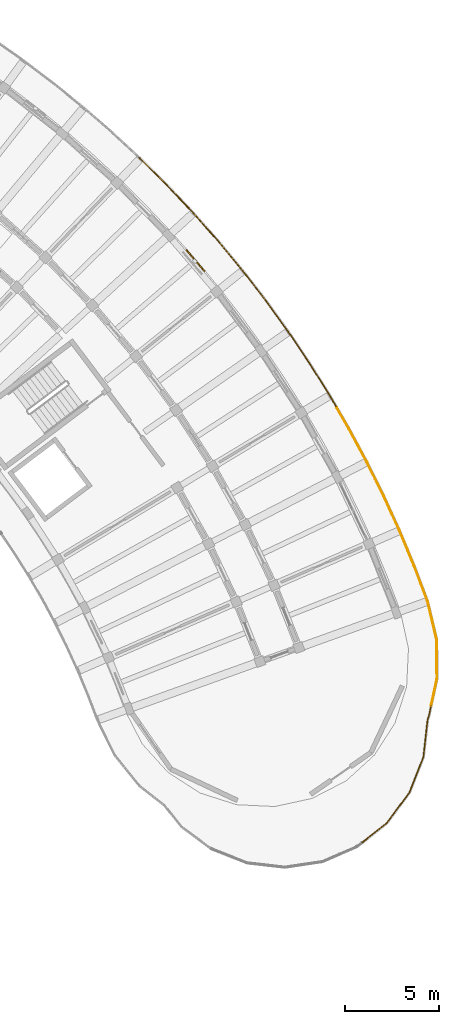
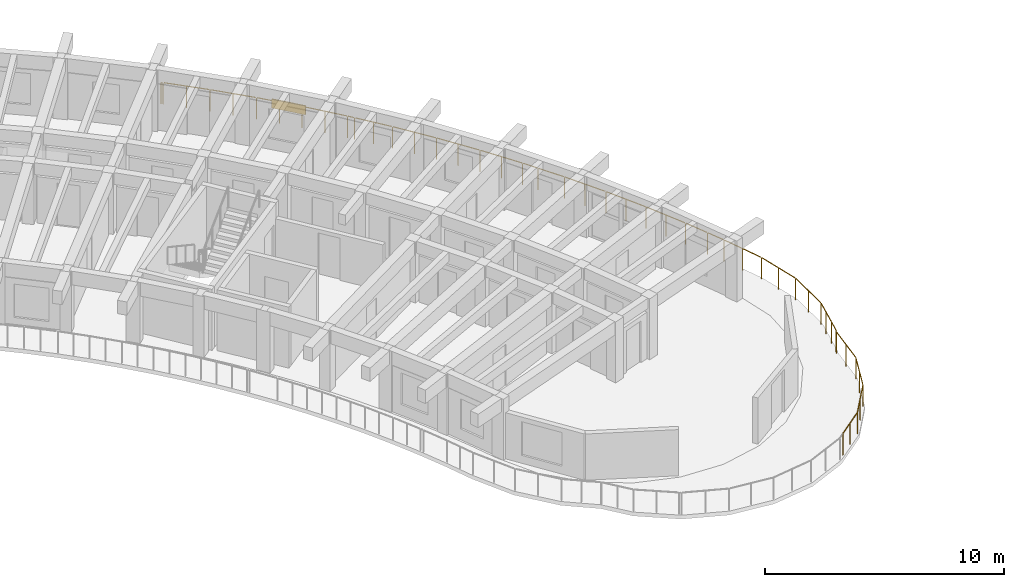
# One storey, part 81 of 83: 5 railings, 1 shading device.
"""IFC4 building model written with IfcOpenShell, lengths in metres."""

from ifc_helpers import new_model, si_unit, direction, frame, origin, origin_2d, place, context, subcontext, project, spatial, rectangle, circle, extrude, material, layer, layer_set, type_object, element, save


model = new_model("IFC4")

# Units and contexts
model_context = context("Model", 3, precision=1e-05, world=origin(), true_north=direction((0.0, 1.0)))
body_context = subcontext(model_context, "Body", "Model", "MODEL_VIEW")
ifc_project = project(units=[si_unit("LENGTHUNIT", "METRE"), si_unit("AREAUNIT", "SQUARE_METRE"), si_unit("VOLUMEUNIT", "CUBIC_METRE"), si_unit("PLANEANGLEUNIT", "RADIAN"), si_unit("MASSUNIT", "GRAM", prefix="KILO")], contexts=[model_context])

# Site, building, storey
site_placement = place(None, origin())
site = spatial("IfcSite", under=ifc_project, at=site_placement, CompositionType="ELEMENT")
building_placement = place(site_placement, origin())
building = spatial("IfcBuilding", under=site, at=building_placement, Name="Tanwirah Colonnade Gardens", CompositionType="ELEMENT")
storey_placement = place(building_placement, frame((0.0, 0.0, 25.639892578125)))
storey = spatial("IfcBuildingStorey", under=building, at=storey_placement, Name="L07", CompositionType="ELEMENT", Elevation=25.639892578125)

# Railings
ifc_material_1 = material(Name="Precast concrete C40/50", Category="concrete")
railing_type = type_object("IfcRailingType", Name="BAL-EXT112", PredefinedType="BALUSTRADE", material=ifc_material_1)
railing_1_placement = place(storey_placement, frame((163.359130859375, 104.535888671875, 0.0)))
element("IfcRailing", 1, at=railing_1_placement, inside=storey, type_object=railing_type, Name="Block B L07 Balcony Ribbon Balustrade 15", PredefinedType="BALUSTRADE", context=body_context, shape_type="SweptSolid", body=[
    extrude(circle(Radius=0.02392578125, at=origin_2d()), frame((0.02294921875, -0.021240234375, 1.09619140625), z_axis=(0.733760674018, -0.679408031498, 0.0), x_axis=(0.679408031498, 0.733760674018, 0.0)), (0.0, 0.0, 1.0), 0.02734375),
    extrude(circle(Radius=0.02392578125, at=origin_2d()), frame((0.088134765625, -0.0830078125, 1.09619140625), z_axis=(0.710480209462, -0.703717181801, 0.0), x_axis=(0.703717181801, 0.710480209462, 0.0)), (0.0, 0.0, 1.0), 1.958984375),
    extrude(circle(Radius=0.02392578125, at=origin_2d()), frame((1.523681640625, -1.50634765625, 1.09619140625), z_axis=(0.686960364449, -0.726694886232, 0.0), x_axis=(0.726694886232, 0.686960364449, 0.0)), (0.0, 0.0, 1.0), 1.958984375),
    extrude(circle(Radius=0.02392578125, at=origin_2d()), frame((2.91162109375, -2.97607421875, 1.09619140625), z_axis=(0.662607760508, -0.748966591854, 0.0), x_axis=(0.748966591854, 0.662607760508, 0.0)), (0.0, 0.0, 1.0), 1.958740234375),
    extrude(circle(Radius=0.02392578125, at=origin_2d()), frame((4.250244140625, -4.49072265625, 1.09619140625), z_axis=(0.637555355491, -0.770404548717, 0.0), x_axis=(0.770404548717, 0.637555355491, 0.0)), (0.0, 0.0, 1.0), 1.958984375),
    extrude(circle(Radius=0.02392578125, at=origin_2d()), frame((5.5380859375, -6.048583984375, 1.09619140625), z_axis=(0.611854382638, -0.790970425772, 0.0), x_axis=(0.790970425772, 0.611854382638, 0.0)), (0.0, 0.0, 1.0), 0.261962890625),
    extrude(circle(Radius=0.02099609375, at=origin_2d()), origin(), (0.0, 0.0, 1.0), 1.069091796875),
    extrude(circle(Radius=0.02099609375, at=origin_2d()), frame((0.06591796875, -0.06103515625, 0.0)), (0.0, 0.0, 1.0), 1.069091796875),
    extrude(circle(Radius=0.02099609375, at=origin_2d()), frame((0.7841796875, -0.7724609375, 0.0)), (0.0, 0.0, 1.0), 1.069091796875),
    extrude(circle(Radius=0.02099609375, at=origin_2d()), frame((1.502197265625, -1.483642578125, 0.0)), (0.0, 0.0, 1.0), 1.069091796875),
    extrude(circle(Radius=0.02099609375, at=origin_2d()), frame((2.196533203125, -2.21826171875, 0.0)), (0.0, 0.0, 1.0), 1.069091796875),
    extrude(circle(Radius=0.02099609375, at=origin_2d()), frame((2.890869140625, -2.95263671875, 0.0)), (0.0, 0.0, 1.0), 1.069091796875),
    extrude(circle(Radius=0.02099609375, at=origin_2d()), frame((3.560546875, -3.70947265625, 0.0)), (0.0, 0.0, 1.0), 1.069091796875),
    extrude(circle(Radius=0.02099609375, at=origin_2d()), frame((4.230224609375, -4.466552734375, 0.0)), (0.0, 0.0, 1.0), 1.069091796875),
    extrude(circle(Radius=0.02099609375, at=origin_2d()), frame((4.87451171875, -5.2451171875, 0.0)), (0.0, 0.0, 1.0), 1.069091796875),
    extrude(circle(Radius=0.02099609375, at=origin_2d()), frame((5.51904296875, -6.02392578125, 0.0)), (0.0, 0.0, 1.0), 1.069091796875),
    extrude(circle(Radius=0.02099609375, at=origin_2d()), frame((5.717529296875, -6.280517578125, 0.0)), (0.0, 0.0, 1.0), 1.069091796875),
])
railing_2_placement = place(storey_placement, frame((169.07666015625, 98.25537109375, 0.0)))
element("IfcRailing", 2, at=railing_2_placement, inside=storey, type_object=railing_type, Name="Block B L07 Balcony Ribbon Balustrade 16", PredefinedType="BALUSTRADE", context=body_context, shape_type="SweptSolid", body=[
    extrude(circle(Radius=0.02392578125, at=origin_2d()), frame((0.01904296875, -0.024658203125, 1.09619140625), z_axis=(0.61185686617, -0.790968504633, 0.0), x_axis=(0.790968504633, 0.61185686617, 0.0)), (0.0, 0.0, 1.0), 1.634521484375),
    extrude(circle(Radius=0.02392578125, at=origin_2d()), frame((1.056640625, -1.36767578125, 1.09619140625), z_axis=(0.585468507287, -0.810695150457, 0.0), x_axis=(0.810695150457, 0.585468507287, 0.0)), (0.0, 0.0, 1.0), 1.958984375),
    extrude(circle(Radius=0.02392578125, at=origin_2d()), frame((2.2392578125, -3.007080078125, 1.09619140625), z_axis=(0.558345997542, -0.829608188863, 0.0), x_axis=(0.829608188863, 0.558345997542, 0.0)), (0.0, 0.0, 1.0), 1.958984375),
    extrude(circle(Radius=0.02392578125, at=origin_2d()), frame((3.3671875, -4.684814453125, 1.09619140625), z_axis=(0.530812919598, -0.847489023167, 0.0), x_axis=(0.847489023167, 0.530812919598, 0.0)), (0.0, 0.0, 1.0), 1.958984375),
    extrude(circle(Radius=0.02392578125, at=origin_2d()), frame((4.439208984375, -6.3984375, 1.09619140625), z_axis=(0.502390651954, -0.864640753625, 0.0), x_axis=(0.864640753625, 0.502390651954, 0.0)), (0.0, 0.0, 1.0), 0.676025390625),
    extrude(circle(Radius=0.02099609375, at=origin_2d()), origin(), (0.0, 0.0, 1.0), 1.069091796875),
    extrude(circle(Radius=0.02099609375, at=origin_2d()), frame((0.51904296875, -0.671142578125, 0.0)), (0.0, 0.0, 1.0), 1.069091796875),
    extrude(circle(Radius=0.02099609375, at=origin_2d()), frame((1.038330078125, -1.34228515625, 0.0)), (0.0, 0.0, 1.0), 1.069091796875),
    extrude(circle(Radius=0.02099609375, at=origin_2d()), frame((1.630126953125, -2.16162109375, 0.0)), (0.0, 0.0, 1.0), 1.069091796875),
    extrude(circle(Radius=0.02099609375, at=origin_2d()), frame((2.221923828125, -2.981201171875, 0.0)), (0.0, 0.0, 1.0), 1.069091796875),
    extrude(circle(Radius=0.02099609375, at=origin_2d()), frame((2.7861328125, -3.81982421875, 0.0)), (0.0, 0.0, 1.0), 1.069091796875),
    extrude(circle(Radius=0.02099609375, at=origin_2d()), frame((3.3505859375, -4.658203125, 0.0)), (0.0, 0.0, 1.0), 1.069091796875),
    extrude(circle(Radius=0.02099609375, at=origin_2d()), frame((3.88720703125, -5.5146484375, 0.0)), (0.0, 0.0, 1.0), 1.069091796875),
    extrude(circle(Radius=0.02099609375, at=origin_2d()), frame((4.423583984375, -6.371337890625, 0.0)), (0.0, 0.0, 1.0), 1.069091796875),
    extrude(circle(Radius=0.02099609375, at=origin_2d()), frame((4.794677734375, -7.010009765625, 0.0)), (0.0, 0.0, 1.0), 1.069091796875),
])
railing_3_placement = place(storey_placement, frame((173.871337890625, 91.245361328125, 0.0)))
element("IfcRailing", 3, at=railing_3_placement, inside=storey, type_object=railing_type, Name="Block B L07 Balcony Ribbon Balustrade 17", PredefinedType="BALUSTRADE", context=body_context, shape_type="SweptSolid", body=[
    extrude(circle(Radius=0.02392578125, at=origin_2d()), frame((0.015625, -0.027099609375, 1.09619140625), z_axis=(0.502438513678, -0.864612942288, 0.0), x_axis=(0.864612942288, 0.502438513678, 0.0)), (0.0, 0.0, 1.0), 1.22021484375),
    extrude(circle(Radius=0.02392578125, at=origin_2d()), frame((0.659423828125, -1.13671875, 1.09619140625), z_axis=(0.473826102441, -0.88061843306, 0.0), x_axis=(0.88061843306, 0.473826102441, 0.0)), (0.0, 0.0, 1.0), 1.958740234375),
    extrude(circle(Radius=0.02392578125, at=origin_2d()), frame((1.6162109375, -2.917236328125, 1.09619140625), z_axis=(0.444409688214, -0.895823659557, 0.0), x_axis=(0.895823659557, 0.444409688214, 0.0)), (0.0, 0.0, 1.0), 1.959228515625),
    extrude(circle(Radius=0.02392578125, at=origin_2d()), frame((2.513671875, -4.728759765625, 1.09619140625), z_axis=(0.414749084938, -0.909935820013, 0.0), x_axis=(0.909935820013, 0.414749084938, 0.0)), (0.0, 0.0, 1.0), 1.958984375),
    extrude(circle(Radius=0.02392578125, at=origin_2d()), frame((3.35107421875, -6.568359375, 1.09619140625), z_axis=(0.384389803293, -0.923170882949, 0.0), x_axis=(0.923170882949, 0.384389803293, 0.0)), (0.0, 0.0, 1.0), 1.09033203125),
    extrude(circle(Radius=0.02099609375, at=origin_2d()), origin(), (0.0, 0.0, 1.0), 1.069091796875),
    extrude(circle(Radius=0.02099609375, at=origin_2d()), frame((0.64453125, -1.109130859375, 0.0)), (0.0, 0.0, 1.0), 1.069091796875),
    extrude(circle(Radius=0.02099609375, at=origin_2d()), frame((1.12353515625, -1.9990234375, 0.0)), (0.0, 0.0, 1.0), 1.069091796875),
    extrude(circle(Radius=0.02099609375, at=origin_2d()), frame((1.602294921875, -2.88916015625, 0.0)), (0.0, 0.0, 1.0), 1.069091796875),
    extrude(circle(Radius=0.02099609375, at=origin_2d()), frame((2.051513671875, -3.794677734375, 0.0)), (0.0, 0.0, 1.0), 1.069091796875),
    extrude(circle(Radius=0.02099609375, at=origin_2d()), frame((2.500732421875, -4.7001953125, 0.0)), (0.0, 0.0, 1.0), 1.069091796875),
    extrude(circle(Radius=0.02099609375, at=origin_2d()), frame((2.919921875, -5.619873046875, 0.0)), (0.0, 0.0, 1.0), 1.069091796875),
    extrude(circle(Radius=0.02099609375, at=origin_2d()), frame((3.339111328125, -6.53955078125, 0.0)), (0.0, 0.0, 1.0), 1.069091796875),
    extrude(circle(Radius=0.02099609375, at=origin_2d()), frame((3.7822265625, -7.603759765625, 0.0)), (0.0, 0.0, 1.0), 1.069091796875),
])
railing_4_placement = place(storey_placement, frame((177.653564453125, 83.6416015625, 0.0)))
element("IfcRailing", 4, at=railing_4_placement, inside=storey, type_object=railing_type, Name="Block B L07 Balcony Ribbon Balustrade 18", PredefinedType="BALUSTRADE", context=body_context, shape_type="SweptSolid", body=[
    extrude(circle(Radius=0.02392578125, at=origin_2d()), frame((0.011962890625, -0.02880859375, 1.09619140625), z_axis=(0.38443579039, -0.923151733502, 0.0), x_axis=(0.923151733502, 0.38443579039, 0.0)), (0.0, 0.0, 1.0), 0.80615234375),
    extrude(circle(Radius=0.02392578125, at=origin_2d()), frame((0.344970703125, -0.831298828125, 1.09619140625), z_axis=(0.353840598901, -0.93530574176, 0.0), x_axis=(0.93530574176, 0.353840598901, 0.0)), (0.0, 0.0, 1.0), 1.955078125),
    extrude(circle(Radius=0.02392578125, at=origin_2d()), frame((1.05517578125, -2.719482421875, 1.09619140625), z_axis=(0.230978471845, -0.972958861178, 0.0), x_axis=(0.972958861178, 0.230978471845, 0.0)), (0.0, 0.0, 1.0), 2.028076171875),
    extrude(circle(Radius=0.02392578125, at=origin_2d()), frame((1.531005859375, -4.75439453125, 1.09619140625), z_axis=(0.008539697957, -0.999963536115, 0.0), x_axis=(0.999963536115, 0.008539697957, 0.0)), (0.0, 0.0, 1.0), 2.0244140625),
    extrude(circle(Radius=0.02392578125, at=origin_2d()), frame((1.5419921875, -6.840576171875, 1.09619140625), z_axis=(-0.21422925902, -0.976783407199, 0.0), x_axis=(0.976783407199, -0.21422925902, 0.0)), (0.0, 0.0, 1.0), 1.373291015625),
    extrude(circle(Radius=0.02099609375, at=origin_2d()), origin(), (0.0, 0.0, 1.0), 1.069091796875),
    extrude(circle(Radius=0.02099609375, at=origin_2d()), frame((0.333984375, -0.802001953125, 0.0)), (0.0, 0.0, 1.0), 1.069091796875),
    extrude(circle(Radius=0.02099609375, at=origin_2d()), frame((0.69091796875, -1.74560546875, 0.0)), (0.0, 0.0, 1.0), 1.069091796875),
    extrude(circle(Radius=0.02099609375, at=origin_2d()), frame((1.0478515625, -2.68896484375, 0.0)), (0.0, 0.0, 1.0), 1.069091796875),
    extrude(circle(Radius=0.02099609375, at=origin_2d()), frame((1.289306640625, -3.7060546875, 0.0)), (0.0, 0.0, 1.0), 1.069091796875),
    extrude(circle(Radius=0.02099609375, at=origin_2d()), frame((1.53076171875, -4.72314453125, 0.0)), (0.0, 0.0, 1.0), 1.069091796875),
    extrude(circle(Radius=0.02099609375, at=origin_2d()), frame((1.53955078125, -5.7666015625, 0.0)), (0.0, 0.0, 1.0), 1.069091796875),
    extrude(circle(Radius=0.02099609375, at=origin_2d()), frame((1.548583984375, -6.81005859375, 0.0)), (0.0, 0.0, 1.0), 1.069091796875),
    extrude(circle(Radius=0.02099609375, at=origin_2d()), frame((1.394775390625, -7.51123046875, 0.0)), (0.0, 0.0, 1.0), 1.069091796875),
    extrude(circle(Radius=0.02099609375, at=origin_2d()), frame((1.240966796875, -8.212646484375, 0.0)), (0.0, 0.0, 1.0), 1.069091796875),
])
railing_5_placement = place(storey_placement, frame((178.89453125, 75.428955078125, 0.0)))
element("IfcRailing", 5, at=railing_5_placement, inside=storey, type_object=railing_type, Name="Block B L07 Balcony Ribbon Balustrade 19", PredefinedType="BALUSTRADE", context=body_context, shape_type="SweptSolid", body=[
    extrude(circle(Radius=0.02392578125, at=origin_2d()), frame((-0.006591796875, -0.030517578125, 1.09619140625), z_axis=(-0.213752797174, -0.976887783576, 0.0), x_axis=(0.976887783576, -0.213752797174, 0.0)), (0.0, 0.0, 1.0), 0.588623046875),
    extrude(circle(Radius=0.02392578125, at=origin_2d()), frame((-0.152587890625, -0.664306640625, 1.09619140625), z_axis=(-0.427983562733, -0.903786517951, 0.0), x_axis=(0.903786517951, -0.427983562733, 0.0)), (0.0, 0.0, 1.0), 0.03955078125),
    extrude(circle(Radius=0.02392578125, at=origin_2d()), frame((-0.193359375, -0.784423828125, 1.09619140625), z_axis=(-0.11321299265, -0.993570741465, 0.0), x_axis=(0.993570741465, -0.11321299265, 0.0)), (0.0, 0.0, 1.0), 1.960205078125),
    extrude(circle(Radius=0.02392578125, at=origin_2d()), frame((-0.430419921875, -2.792236328125, 1.09619140625), z_axis=(-0.366476847839, -0.930427170711, 0.0), x_axis=(0.930427170711, -0.366476847839, 0.0)), (0.0, 0.0, 1.0), 1.95263671875),
    extrude(circle(Radius=0.02392578125, at=origin_2d()), frame((-1.176025390625, -4.663330078125, 1.09619140625), z_axis=(-0.594850833689, -0.803836106218, 0.0), x_axis=(0.803836106218, -0.594850833689, 0.0)), (0.0, 0.0, 1.0), 1.95263671875),
    extrude(circle(Radius=0.02392578125, at=origin_2d()), frame((-2.380615234375, -6.277587890625, 1.09619140625), z_axis=(-0.782579978711, -0.622550059771, 0.0), x_axis=(0.622550059771, -0.782579978711, 0.0)), (0.0, 0.0, 1.0), 1.60498046875),
    extrude(circle(Radius=0.02099609375, at=origin_2d()), origin(), (0.0, 0.0, 1.0), 1.069091796875),
    extrude(circle(Radius=0.02099609375, at=origin_2d()), frame((-0.13916015625, -0.635986328125, 0.0)), (0.0, 0.0, 1.0), 1.069091796875),
    extrude(circle(Radius=0.02099609375, at=origin_2d()), frame((-0.182861328125, -0.728271484375, 0.0)), (0.0, 0.0, 1.0), 1.069091796875),
    extrude(circle(Radius=0.02099609375, at=origin_2d()), frame((-0.304443359375, -1.75830078125, 0.0)), (0.0, 0.0, 1.0), 1.069091796875),
    extrude(circle(Radius=0.02099609375, at=origin_2d()), frame((-0.4189453125, -2.76318359375, 0.0)), (0.0, 0.0, 1.0), 1.069091796875),
    extrude(circle(Radius=0.02099609375, at=origin_2d()), frame((-0.7880859375, -3.70068359375, 0.0)), (0.0, 0.0, 1.0), 1.069091796875),
    extrude(circle(Radius=0.02099609375, at=origin_2d()), frame((-1.157470703125, -4.63818359375, 0.0)), (0.0, 0.0, 1.0), 1.069091796875),
    extrude(circle(Radius=0.02099609375, at=origin_2d()), frame((-1.7568359375, -5.4482421875, 0.0)), (0.0, 0.0, 1.0), 1.069091796875),
    extrude(circle(Radius=0.02099609375, at=origin_2d()), frame((-2.356201171875, -6.258056640625, 0.0)), (0.0, 0.0, 1.0), 1.069091796875),
    extrude(circle(Radius=0.02099609375, at=origin_2d()), frame((-3.0087890625, -6.777099609375, 0.0)), (0.0, 0.0, 1.0), 1.069091796875),
    extrude(circle(Radius=0.02099609375, at=origin_2d()), frame((-3.6611328125, -7.296142578125, 0.0)), (0.0, 0.0, 1.0), 1.069091796875),
])

# Shading device
ifc_material_2 = material(Name="Perforated architectural bronze aluminium", Category="aluminium")
ifc_layer = layer(ifc_material_2, 0.050048828125)
ifc_layer_set = layer_set([ifc_layer], Name="Perforated architectural bronze aluminium")
shading_device_type = type_object("IfcShadingDeviceType", Name="SHD-OVH1", PredefinedType="SHUTTER", material=ifc_layer_set)
shading_device_placement = place(storey_placement, frame((166.364013671875, 99.06005859375, 1.89501953125), z_axis=(0.0, 0.0, 1.0), x_axis=(-0.650185892244, 0.759775167748, 0.0)))
element("IfcShadingDevice", 6, at=shading_device_placement, inside=storey, type_object=shading_device_type, Name="Solar shading louver hood B-L07-06", PredefinedType="SHUTTER", context=body_context, shape_type="SweptSolid", body=[
    extrude(rectangle(XDim=1.5, YDim=0.06005859375, at=origin_2d()), origin(), (0.0, 0.0, 1.0), 0.449951171875),
])

save(model, "model.ifc")
